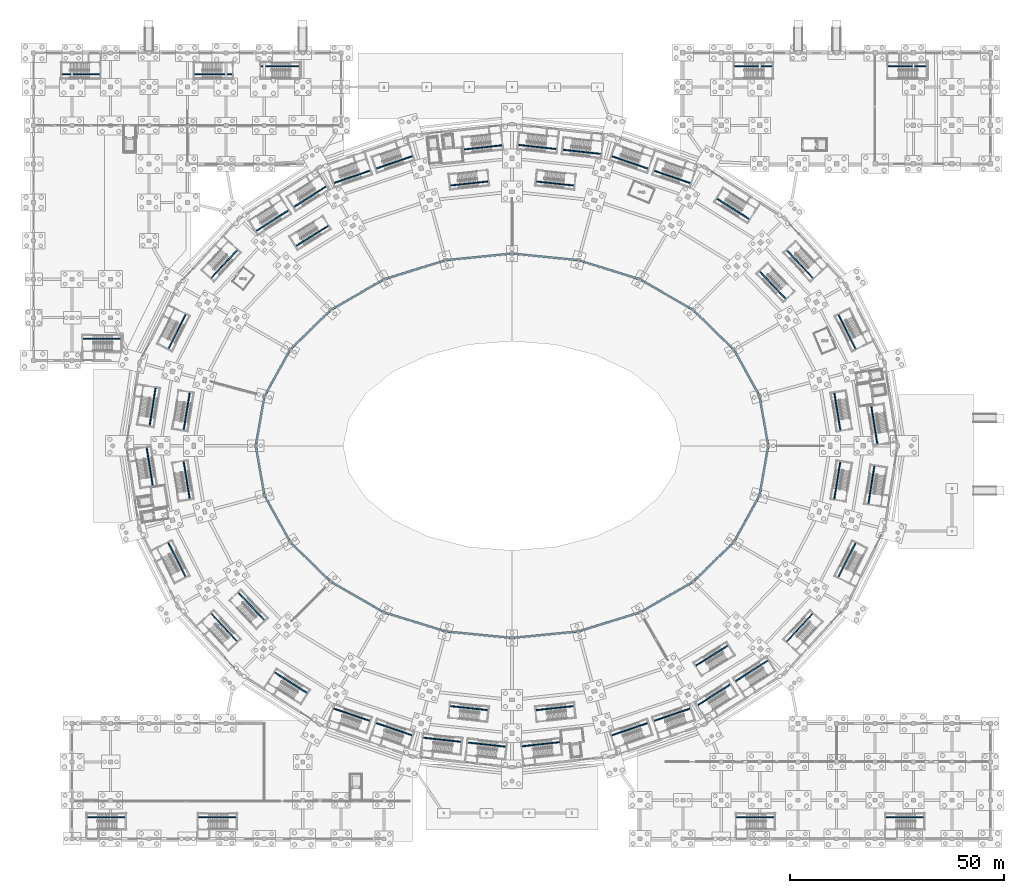
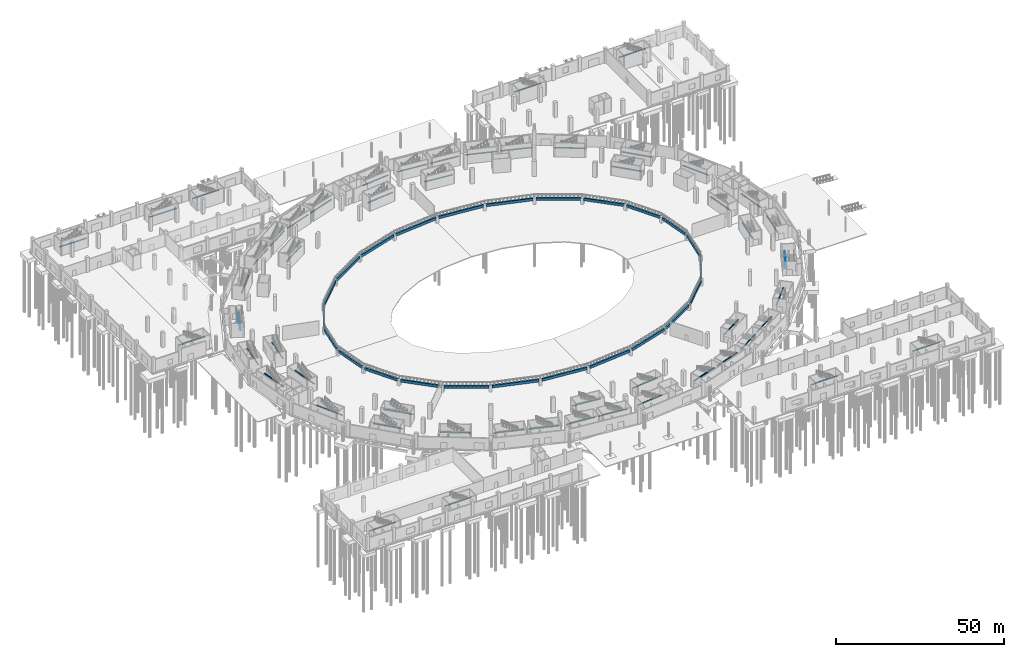
# One storey, part 27 of 103: 78 beams.
"""IFC4 building model written with IfcOpenShell, lengths in metres."""

from ifc_helpers import new_model, si_unit, direction, frame, origin, origin_2d, place, context, subcontext, project, spatial, rectangle, extrude, material, material_profile, profile_set, type_object, element, save


model = new_model("IFC4")

# Units and contexts
model_context = context("Model", 3, precision=1e-05, world=origin(), true_north=direction((0.0, 1.0)))
body_context = subcontext(model_context, "Body", "Model", "MODEL_VIEW")
ifc_project = project(units=[si_unit("LENGTHUNIT", "METRE"), si_unit("AREAUNIT", "SQUARE_METRE"), si_unit("VOLUMEUNIT", "CUBIC_METRE"), si_unit("PLANEANGLEUNIT", "RADIAN"), si_unit("MASSUNIT", "GRAM", prefix="KILO")], contexts=[model_context])

# Site, building, storey
site_placement = place(None, origin())
site = spatial("IfcSite", under=ifc_project, at=site_placement, CompositionType="ELEMENT")
building_placement = place(site_placement, origin())
building = spatial("IfcBuilding", under=site, at=building_placement, Name="Zevraka Park Crest Stadium", CompositionType="ELEMENT")
storey_placement = place(building_placement, origin())
storey = spatial("IfcBuildingStorey", under=building, at=storey_placement, Name="L00", CompositionType="ELEMENT", Elevation=0.0)

# Beams
ifc_material_1 = material(Name="Concrete C40/50", Category="concrete")
ifc_material_profile_1 = material_profile(ifc_material_1, rectangle(XDim=0.5, YDim=0.949951171875, at=origin_2d()), Name="RC 950x500")
ifc_profile_set_1 = profile_set([ifc_material_profile_1], Name="Concrete C40/50")
beam_type_1 = type_object("IfcBeamType", Name="RB02", PredefinedType="BEAM", material=ifc_profile_set_1)
beam_1_placement = place(storey_placement, frame((171.922119140625, 92.443115234375, 1.72509765625), z_axis=(-0.17282534053, 0.984952487012, 0.0), x_axis=(-0.984952487012, -0.17282534053, 0.0)))
element("IfcBeam", 1, at=beam_1_placement, inside=storey, type_object=beam_type_1, Name="Bowl Moat Ring Beam RB02 00", PredefinedType="BEAM", context=body_context, shape_type="SweptSolid", body=[
    extrude(rectangle(XDim=0.5, YDim=0.949951171875, at=origin_2d()), origin(), (0.0, 0.0, 1.0), 10.92529296875),
])
beam_2_placement = place(storey_placement, frame((169.738037109375, 104.041015625, 1.72509765625), z_axis=(-0.483412986381, 0.875392417489, 0.0), x_axis=(-0.875392417489, -0.483412986381, 0.0)))
element("IfcBeam", 2, at=beam_2_placement, inside=storey, type_object=beam_type_1, Name="Bowl Moat Ring Beam RB02 01", PredefinedType="BEAM", context=body_context, shape_type="SweptSolid", body=[
    extrude(rectangle(XDim=0.5, YDim=0.949951171875, at=origin_2d()), origin(), (0.0, 0.0, 1.0), 11.49755859375),
])
beam_3_placement = place(storey_placement, frame((163.639892578125, 114.81494140625, 1.72509765625), z_axis=(-0.715179840631, 0.698940480696, 0.0), x_axis=(-0.698940480696, -0.715179840631, 0.0)))
element("IfcBeam", 3, at=beam_3_placement, inside=storey, type_object=beam_type_1, Name="Bowl Moat Ring Beam RB02 02", PredefinedType="BEAM", context=body_context, shape_type="SweptSolid", body=[
    extrude(rectangle(XDim=0.5, YDim=0.949951171875, at=origin_2d()), origin(), (0.0, 0.0, 1.0), 12.43310546875),
])
beam_4_placement = place(storey_placement, frame((154.035888671875, 124.0439453125, 1.72509765625), z_axis=(-0.866691490288, 0.498844525541, 0.0), x_axis=(-0.498844525541, -0.866691490288, 0.0)))
element("IfcBeam", 4, at=beam_4_placement, inside=storey, type_object=beam_type_1, Name="Bowl Moat Ring Beam RB02 03", PredefinedType="BEAM", context=body_context, shape_type="SweptSolid", body=[
    extrude(rectangle(XDim=0.5, YDim=0.949951171875, at=origin_2d()), origin(), (0.0, 0.0, 1.0), 13.437255859375),
])
beam_5_placement = place(storey_placement, frame((141.570068359375, 131.10498046875, 1.72509765625), z_axis=(-0.954986687073, 0.296648660055, 0.0), x_axis=(-0.296648660055, -0.954986687073, 0.0)))
element("IfcBeam", 5, at=beam_5_placement, inside=storey, type_object=beam_type_1, Name="Bowl Moat Ring Beam RB02 04", PredefinedType="BEAM", context=body_context, shape_type="SweptSolid", body=[
    extrude(rectangle(XDim=0.5, YDim=0.949951171875, at=origin_2d()), origin(), (0.0, 0.0, 1.0), 14.252685546875),
])
for number, where, z_axis, x_axis, name in (
    (6, (127.0810546875, 135.510986328125, 1.72509765625), (-0.99515923202, 0.098275647669, 0.0), (-0.098275647669, -0.99515923202, 0.0), "Bowl Moat Ring Beam RB02 05"),
    (7, (111.552001953125, 136.9560546875, 1.72509765625), (-0.99515923202, -0.098275647669, 0.0), (0.098275647669, -0.99515923202, 0.0), "Bowl Moat Ring Beam RB02 06"),
):
    element("IfcBeam", number, at=place(storey_placement, frame(where, z_axis=z_axis, x_axis=x_axis)), inside=storey, type_object=beam_type_1, Name=name, PredefinedType="BEAM", context=body_context, shape_type="SweptSolid", body=[
        extrude(rectangle(XDim=0.5, YDim=0.949951171875, at=origin_2d()), origin(), (0.0, 0.0, 1.0), 14.704345703125),
    ])
beam_6_placement = place(storey_placement, frame((96.041015625, 135.3330078125, 1.72509765625), z_axis=(-0.954986687073, -0.296648660055, 0.0), x_axis=(0.296648660055, -0.954986687073, 0.0)))
element("IfcBeam", 8, at=beam_6_placement, inside=storey, type_object=beam_type_1, Name="Bowl Moat Ring Beam RB02 07", PredefinedType="BEAM", context=body_context, shape_type="SweptSolid", body=[
    extrude(rectangle(XDim=0.5, YDim=0.949951171875, at=origin_2d()), origin(), (0.0, 0.0, 1.0), 14.252685546875),
])
beam_7_placement = place(storey_placement, frame((81.610107421875, 130.7470703125, 1.72509765625), z_axis=(-0.866691490288, -0.498844525541, 0.0), x_axis=(0.498844525541, -0.866691490288, 0.0)))
element("IfcBeam", 9, at=beam_7_placement, inside=storey, type_object=beam_type_1, Name="Bowl Moat Ring Beam RB02 08", PredefinedType="BEAM", context=body_context, shape_type="SweptSolid", body=[
    extrude(rectangle(XDim=0.5, YDim=0.949951171875, at=origin_2d()), origin(), (0.0, 0.0, 1.0), 13.437255859375),
])
beam_8_placement = place(storey_placement, frame((69.251953125, 123.5048828125, 1.72509765625), z_axis=(-0.715179840631, -0.698940480696, 0.0), x_axis=(0.698940480696, -0.715179840631, 0.0)))
element("IfcBeam", 10, at=beam_8_placement, inside=storey, type_object=beam_type_1, Name="Bowl Moat Ring Beam RB02 09", PredefinedType="BEAM", context=body_context, shape_type="SweptSolid", body=[
    extrude(rectangle(XDim=0.5, YDim=0.949951171875, at=origin_2d()), origin(), (0.0, 0.0, 1.0), 12.43310546875),
])
beam_9_placement = place(storey_placement, frame((59.820068359375, 114.10595703125, 1.72509765625), z_axis=(-0.483412986381, -0.875392417489, 0.0), x_axis=(0.875392417489, -0.483412986381, 0.0)))
element("IfcBeam", 11, at=beam_9_placement, inside=storey, type_object=beam_type_1, Name="Bowl Moat Ring Beam RB02 10", PredefinedType="BEAM", context=body_context, shape_type="SweptSolid", body=[
    extrude(rectangle(XDim=0.5, YDim=0.949951171875, at=origin_2d()), origin(), (0.0, 0.0, 1.0), 11.49755859375),
])
for number, where, z_axis, x_axis, name in (
    (12, (53.966064453125, 103.2041015625, 1.72509765625), (-0.17282534053, -0.984952487012, 0.0), (0.984952487012, -0.17282534053, 0.0), "Bowl Moat Ring Beam RB02 11"),
    (13, (52.077880859375, 91.556884765625, 1.72509765625), (0.17282534053, -0.984952487012, 0.0), (0.984952487012, 0.17282534053, 0.0), "Bowl Moat Ring Beam RB02 12"),
):
    element("IfcBeam", number, at=place(storey_placement, frame(where, z_axis=z_axis, x_axis=x_axis)), inside=storey, type_object=beam_type_1, Name=name, PredefinedType="BEAM", context=body_context, shape_type="SweptSolid", body=[
        extrude(rectangle(XDim=0.5, YDim=0.949951171875, at=origin_2d()), origin(), (0.0, 0.0, 1.0), 10.92529296875),
    ])
beam_10_placement = place(storey_placement, frame((54.261962890625, 79.958984375, 1.72509765625), z_axis=(0.483412986381, -0.875392417489, 0.0), x_axis=(0.875392417489, 0.483412986381, 0.0)))
element("IfcBeam", 14, at=beam_10_placement, inside=storey, type_object=beam_type_1, Name="Bowl Moat Ring Beam RB02 13", PredefinedType="BEAM", context=body_context, shape_type="SweptSolid", body=[
    extrude(rectangle(XDim=0.5, YDim=0.949951171875, at=origin_2d()), origin(), (0.0, 0.0, 1.0), 11.49755859375),
])
beam_11_placement = place(storey_placement, frame((60.360107421875, 69.18505859375, 1.72509765625), z_axis=(0.715179840631, -0.698940480696, 0.0), x_axis=(0.698940480696, 0.715179840631, 0.0)))
element("IfcBeam", 15, at=beam_11_placement, inside=storey, type_object=beam_type_1, Name="Bowl Moat Ring Beam RB02 14", PredefinedType="BEAM", context=body_context, shape_type="SweptSolid", body=[
    extrude(rectangle(XDim=0.5, YDim=0.949951171875, at=origin_2d()), origin(), (0.0, 0.0, 1.0), 12.43310546875),
])
beam_12_placement = place(storey_placement, frame((69.964111328125, 59.9560546875, 1.72509765625), z_axis=(0.866691490288, -0.498844525541, 0.0), x_axis=(0.498844525541, 0.866691490288, 0.0)))
element("IfcBeam", 16, at=beam_12_placement, inside=storey, type_object=beam_type_1, Name="Bowl Moat Ring Beam RB02 15", PredefinedType="BEAM", context=body_context, shape_type="SweptSolid", body=[
    extrude(rectangle(XDim=0.5, YDim=0.949951171875, at=origin_2d()), origin(), (0.0, 0.0, 1.0), 13.437255859375),
])
beam_13_placement = place(storey_placement, frame((82.429931640625, 52.89501953125, 1.72509765625), z_axis=(0.954986687073, -0.296648660055, 0.0), x_axis=(0.296648660055, 0.954986687073, 0.0)))
element("IfcBeam", 17, at=beam_13_placement, inside=storey, type_object=beam_type_1, Name="Bowl Moat Ring Beam RB02 16", PredefinedType="BEAM", context=body_context, shape_type="SweptSolid", body=[
    extrude(rectangle(XDim=0.5, YDim=0.949951171875, at=origin_2d()), origin(), (0.0, 0.0, 1.0), 14.252685546875),
])
for number, where, z_axis, x_axis, name in (
    (18, (96.9189453125, 48.489013671875, 1.72509765625), (0.99515923202, -0.098275647669, 0.0), (0.098275647669, 0.99515923202, 0.0), "Bowl Moat Ring Beam RB02 17"),
    (19, (112.447998046875, 47.0439453125, 1.72509765625), (0.99515923202, 0.098275647669, 0.0), (-0.098275647669, 0.99515923202, 0.0), "Bowl Moat Ring Beam RB02 18"),
):
    element("IfcBeam", number, at=place(storey_placement, frame(where, z_axis=z_axis, x_axis=x_axis)), inside=storey, type_object=beam_type_1, Name=name, PredefinedType="BEAM", context=body_context, shape_type="SweptSolid", body=[
        extrude(rectangle(XDim=0.5, YDim=0.949951171875, at=origin_2d()), origin(), (0.0, 0.0, 1.0), 14.704345703125),
    ])
beam_14_placement = place(storey_placement, frame((127.958984375, 48.6669921875, 1.72509765625), z_axis=(0.954986687073, 0.296648660055, 0.0), x_axis=(-0.296648660055, 0.954986687073, 0.0)))
element("IfcBeam", 20, at=beam_14_placement, inside=storey, type_object=beam_type_1, Name="Bowl Moat Ring Beam RB02 19", PredefinedType="BEAM", context=body_context, shape_type="SweptSolid", body=[
    extrude(rectangle(XDim=0.5, YDim=0.949951171875, at=origin_2d()), origin(), (0.0, 0.0, 1.0), 14.252685546875),
])
beam_15_placement = place(storey_placement, frame((142.389892578125, 53.2529296875, 1.72509765625), z_axis=(0.866691490288, 0.498844525541, 0.0), x_axis=(-0.498844525541, 0.866691490288, 0.0)))
element("IfcBeam", 21, at=beam_15_placement, inside=storey, type_object=beam_type_1, Name="Bowl Moat Ring Beam RB02 20", PredefinedType="BEAM", context=body_context, shape_type="SweptSolid", body=[
    extrude(rectangle(XDim=0.5, YDim=0.949951171875, at=origin_2d()), origin(), (0.0, 0.0, 1.0), 13.437255859375),
])
beam_16_placement = place(storey_placement, frame((154.748046875, 60.4951171875, 1.72509765625), z_axis=(0.715179840631, 0.698940480696, 0.0), x_axis=(-0.698940480696, 0.715179840631, 0.0)))
element("IfcBeam", 22, at=beam_16_placement, inside=storey, type_object=beam_type_1, Name="Bowl Moat Ring Beam RB02 21", PredefinedType="BEAM", context=body_context, shape_type="SweptSolid", body=[
    extrude(rectangle(XDim=0.5, YDim=0.949951171875, at=origin_2d()), origin(), (0.0, 0.0, 1.0), 12.43310546875),
])
beam_17_placement = place(storey_placement, frame((164.179931640625, 69.89404296875, 1.72509765625), z_axis=(0.483412986381, 0.875392417489, 0.0), x_axis=(-0.875392417489, 0.483412986381, 0.0)))
element("IfcBeam", 23, at=beam_17_placement, inside=storey, type_object=beam_type_1, Name="Bowl Moat Ring Beam RB02 22", PredefinedType="BEAM", context=body_context, shape_type="SweptSolid", body=[
    extrude(rectangle(XDim=0.5, YDim=0.949951171875, at=origin_2d()), origin(), (0.0, 0.0, 1.0), 11.49755859375),
])
beam_18_placement = place(storey_placement, frame((170.033935546875, 80.7958984375, 1.72509765625), z_axis=(0.17282534053, 0.984952487012, 0.0), x_axis=(-0.984952487012, 0.17282534053, 0.0)))
element("IfcBeam", 24, at=beam_18_placement, inside=storey, type_object=beam_type_1, Name="Bowl Moat Ring Beam RB02 23", PredefinedType="BEAM", context=body_context, shape_type="SweptSolid", body=[
    extrude(rectangle(XDim=0.5, YDim=0.949951171875, at=origin_2d()), origin(), (0.0, 0.0, 1.0), 10.92529296875),
])
ifc_material_2 = material(Name="Concrete C40/50", Category="concrete")
ifc_material_profile_2 = material_profile(ifc_material_2, rectangle(XDim=0.280029296875, YDim=0.199951171875, at=origin_2d()), Name="RC 200x280")
ifc_profile_set_2 = profile_set([ifc_material_profile_2], Name="Concrete C40/50")
beam_type_2 = type_object("IfcBeamType", Name="SJ13", PredefinedType="JOIST", material=ifc_profile_set_2)
for number, where, z_axis, x_axis, name in (
    (25, (197.559326171875, 92.29736328125, 2.60009765625), (-0.157251361722, 0.987558610532, 0.0), (-0.987558610532, -0.157251361722, 0.0), "Stair Upper-Flight Longitudinal Stringer SJ13 ST01-L00"),
    (26, (192.518798828125, 114.591552734375, 2.60009765625), (-0.447920796254, 0.894073241006, 0.0), (-0.894073241006, -0.447920796254, 0.0), "Stair Upper-Flight Longitudinal Stringer SJ13 ST02-L00"),
    (27, (182.544677734375, 131.1572265625, 2.60009765625), (-0.680247587728, 0.732982414107, 0.0), (-0.732982414107, -0.680247587728, 0.0), "Stair Upper-Flight Longitudinal Stringer SJ13 ST03-L00"),
):
    element("IfcBeam", number, at=place(storey_placement, frame(where, z_axis=z_axis, x_axis=x_axis)), inside=storey, type_object=beam_type_2, Name=name, PredefinedType="JOIST", context=body_context, shape_type="SweptSolid", body=[
        extrude(rectangle(XDim=0.280029296875, YDim=0.199951171875, at=origin_2d()), origin(), (0.0, 0.0, 1.0), 9.25),
    ])
beam_19_placement = place(storey_placement, frame((167.648193359375, 145.012451171875, 2.60009765625), z_axis=(-0.844396466688, 0.53571877608, 0.0), x_axis=(-0.53571877608, -0.844396466688, 0.0)))
element("IfcBeam", 28, at=beam_19_placement, inside=storey, type_object=beam_type_2, Name="Stair Upper-Flight Longitudinal Stringer SJ13 ST04-L00", PredefinedType="JOIST", context=body_context, shape_type="SweptSolid", body=[
    extrude(rectangle(XDim=0.280029296875, YDim=0.199951171875, at=origin_2d()), origin(), (0.0, 0.0, 1.0), 9.249755859375),
])
beam_20_placement = place(storey_placement, frame((153.882080078125, 153.457763671875, 2.60009765625), z_axis=(-0.946065027556, 0.323976794902, 0.0), x_axis=(-0.323976794902, -0.946065027556, 0.0)))
element("IfcBeam", 29, at=beam_20_placement, inside=storey, type_object=beam_type_2, Name="Stair Upper-Flight Longitudinal Stringer SJ13 ST05-L00", PredefinedType="JOIST", context=body_context, shape_type="SweptSolid", body=[
    extrude(rectangle(XDim=0.280029296875, YDim=0.199951171875, at=origin_2d()), origin(), (0.0, 0.0, 1.0), 9.250244140625),
])
for number, where, z_axis, x_axis, name in (
    (30, (132.91796875, 160.3369140625, 2.60009765625), (-0.994127809114, 0.108212287404, 0.0), (-0.108212287404, -0.994127809114, 0.0), "Stair Upper-Flight Longitudinal Stringer SJ13 ST06-L00"),
    (31, (109.77197265625, 162.37158203125, 2.60009765625), (-0.994127809114, -0.108212287404, 0.0), (0.108212287404, -0.994127809114, 0.0), "Stair Upper-Flight Longitudinal Stringer SJ13 ST07-L00"),
):
    element("IfcBeam", number, at=place(storey_placement, frame(where, z_axis=z_axis, x_axis=x_axis)), inside=storey, type_object=beam_type_2, Name=name, PredefinedType="JOIST", context=body_context, shape_type="SweptSolid", body=[
        extrude(rectangle(XDim=0.280029296875, YDim=0.199951171875, at=origin_2d()), origin(), (0.0, 0.0, 1.0), 9.25),
    ])
beam_21_placement = place(storey_placement, frame((88.80322265625, 159.855712890625, 2.60009765625), z_axis=(-0.946065027556, -0.323976794902, 0.0), x_axis=(0.323976794902, -0.946065027556, 0.0)))
element("IfcBeam", 32, at=beam_21_placement, inside=storey, type_object=beam_type_2, Name="Stair Upper-Flight Longitudinal Stringer SJ13 ST08-L00", PredefinedType="JOIST", context=body_context, shape_type="SweptSolid", body=[
    extrude(rectangle(XDim=0.280029296875, YDim=0.199951171875, at=origin_2d()), origin(), (0.0, 0.0, 1.0), 9.250244140625),
])
for number, where, z_axis, x_axis, name in (
    (33, (68.595703125, 152.780517578125, 2.60009765625), (-0.844404041367, -0.535706836734, 0.0), (0.535706836734, -0.844404041367, 0.0), "Stair Upper-Flight Longitudinal Stringer SJ13 ST09-L00"),
    (34, (47.747314453125, 137.937744140625, 2.60009765625), (-0.680247587728, -0.732982414107, 0.0), (0.732982414107, -0.680247587728, 0.0), "Stair Upper-Flight Longitudinal Stringer SJ13 ST10-L00"),
):
    element("IfcBeam", number, at=place(storey_placement, frame(where, z_axis=z_axis, x_axis=x_axis)), inside=storey, type_object=beam_type_2, Name=name, PredefinedType="JOIST", context=body_context, shape_type="SweptSolid", body=[
        extrude(rectangle(XDim=0.280029296875, YDim=0.199951171875, at=origin_2d()), origin(), (0.0, 0.0, 1.0), 9.25),
    ])
for number, where, z_axis, x_axis, name in (
    (35, (35.624755859375, 122.8623046875, 2.60009765625), (-0.447910267746, -0.894078515594, 0.0), (0.894078515594, -0.447910267746, 0.0), "Stair Upper-Flight Longitudinal Stringer SJ13 ST11-L00"),
    (36, (28.571044921875, 105.678955078125, 2.60009765625), (-0.157255460575, -0.987557957853, 0.0), (0.987557957853, -0.157255460575, 0.0), "Stair Upper-Flight Longitudinal Stringer SJ13 ST12-L00"),
):
    element("IfcBeam", number, at=place(storey_placement, frame(where, z_axis=z_axis, x_axis=x_axis)), inside=storey, type_object=beam_type_2, Name=name, PredefinedType="JOIST", context=body_context, shape_type="SweptSolid", body=[
        extrude(rectangle(XDim=0.280029296875, YDim=0.199951171875, at=origin_2d()), origin(), (0.0, 0.0, 1.0), 9.249755859375),
    ])
for number, where, z_axis, x_axis, name in (
    (37, (26.440673828125, 91.70263671875, 2.60009765625), (0.157251361722, -0.987558610532, 0.0), (0.987558610532, 0.157251361722, 0.0), "Stair Upper-Flight Longitudinal Stringer SJ13 ST13-L00"),
    (38, (31.481201171875, 69.408447265625, 2.60009765625), (0.447920796254, -0.894073241006, 0.0), (0.894073241006, 0.447920796254, 0.0), "Stair Upper-Flight Longitudinal Stringer SJ13 ST14-L00"),
    (39, (41.455322265625, 52.8427734375, 2.60009765625), (0.680247587728, -0.732982414107, 0.0), (0.732982414107, 0.680247587728, 0.0), "Stair Upper-Flight Longitudinal Stringer SJ13 ST15-L00"),
):
    element("IfcBeam", number, at=place(storey_placement, frame(where, z_axis=z_axis, x_axis=x_axis)), inside=storey, type_object=beam_type_2, Name=name, PredefinedType="JOIST", context=body_context, shape_type="SweptSolid", body=[
        extrude(rectangle(XDim=0.280029296875, YDim=0.199951171875, at=origin_2d()), origin(), (0.0, 0.0, 1.0), 9.25),
    ])
beam_22_placement = place(storey_placement, frame((56.351806640625, 38.987548828125, 2.60009765625), z_axis=(0.844396466688, -0.53571877608, 0.0), x_axis=(0.53571877608, 0.844396466688, 0.0)))
element("IfcBeam", 40, at=beam_22_placement, inside=storey, type_object=beam_type_2, Name="Stair Upper-Flight Longitudinal Stringer SJ13 ST16-L00", PredefinedType="JOIST", context=body_context, shape_type="SweptSolid", body=[
    extrude(rectangle(XDim=0.280029296875, YDim=0.199951171875, at=origin_2d()), origin(), (0.0, 0.0, 1.0), 9.249755859375),
])
beam_23_placement = place(storey_placement, frame((70.117919921875, 30.542236328125, 2.60009765625), z_axis=(0.946065027556, -0.323976794902, 0.0), x_axis=(0.323976794902, 0.946065027556, 0.0)))
element("IfcBeam", 41, at=beam_23_placement, inside=storey, type_object=beam_type_2, Name="Stair Upper-Flight Longitudinal Stringer SJ13 ST17-L00", PredefinedType="JOIST", context=body_context, shape_type="SweptSolid", body=[
    extrude(rectangle(XDim=0.280029296875, YDim=0.199951171875, at=origin_2d()), origin(), (0.0, 0.0, 1.0), 9.250244140625),
])
for number, where, z_axis, x_axis, name in (
    (42, (91.08203125, 23.6630859375, 2.60009765625), (0.994127809114, -0.108212287404, 0.0), (0.108212287404, 0.994127809114, 0.0), "Stair Upper-Flight Longitudinal Stringer SJ13 ST18-L00"),
    (43, (114.22802734375, 21.62841796875, 2.60009765625), (0.994127809114, 0.108212287404, 0.0), (-0.108212287404, 0.994127809114, 0.0), "Stair Upper-Flight Longitudinal Stringer SJ13 ST19-L00"),
):
    element("IfcBeam", number, at=place(storey_placement, frame(where, z_axis=z_axis, x_axis=x_axis)), inside=storey, type_object=beam_type_2, Name=name, PredefinedType="JOIST", context=body_context, shape_type="SweptSolid", body=[
        extrude(rectangle(XDim=0.280029296875, YDim=0.199951171875, at=origin_2d()), origin(), (0.0, 0.0, 1.0), 9.25),
    ])
beam_24_placement = place(storey_placement, frame((135.19677734375, 24.144287109375, 2.60009765625), z_axis=(0.946065027556, 0.323976794902, 0.0), x_axis=(-0.323976794902, 0.946065027556, 0.0)))
element("IfcBeam", 44, at=beam_24_placement, inside=storey, type_object=beam_type_2, Name="Stair Upper-Flight Longitudinal Stringer SJ13 ST20-L00", PredefinedType="JOIST", context=body_context, shape_type="SweptSolid", body=[
    extrude(rectangle(XDim=0.280029296875, YDim=0.199951171875, at=origin_2d()), origin(), (0.0, 0.0, 1.0), 9.250244140625),
])
for number, where, z_axis, x_axis, name in (
    (45, (155.404296875, 31.219482421875, 2.60009765625), (0.844404041367, 0.535706836734, 0.0), (-0.535706836734, 0.844404041367, 0.0), "Stair Upper-Flight Longitudinal Stringer SJ13 ST21-L00"),
    (46, (176.252685546875, 46.062255859375, 2.60009765625), (0.680247587728, 0.732982414107, 0.0), (-0.732982414107, 0.680247587728, 0.0), "Stair Upper-Flight Longitudinal Stringer SJ13 ST22-L00"),
):
    element("IfcBeam", number, at=place(storey_placement, frame(where, z_axis=z_axis, x_axis=x_axis)), inside=storey, type_object=beam_type_2, Name=name, PredefinedType="JOIST", context=body_context, shape_type="SweptSolid", body=[
        extrude(rectangle(XDim=0.280029296875, YDim=0.199951171875, at=origin_2d()), origin(), (0.0, 0.0, 1.0), 9.25),
    ])
for number, where, z_axis, x_axis, name in (
    (47, (188.375244140625, 61.1376953125, 2.60009765625), (0.447910267746, 0.894078515594, 0.0), (-0.894078515594, 0.447910267746, 0.0), "Stair Upper-Flight Longitudinal Stringer SJ13 ST23-L00"),
    (48, (195.428955078125, 78.321044921875, 2.60009765625), (0.157255460575, 0.987557957853, 0.0), (-0.987557957853, 0.157255460575, 0.0), "Stair Upper-Flight Longitudinal Stringer SJ13 ST24-L00"),
):
    element("IfcBeam", number, at=place(storey_placement, frame(where, z_axis=z_axis, x_axis=x_axis)), inside=storey, type_object=beam_type_2, Name=name, PredefinedType="JOIST", context=body_context, shape_type="SweptSolid", body=[
        extrude(rectangle(XDim=0.280029296875, YDim=0.199951171875, at=origin_2d()), origin(), (0.0, 0.0, 1.0), 9.249755859375),
    ])
for number, where, z_axis, x_axis, name in (
    (49, (143.947998046875, 156.85888671875, 2.60009765625), (-0.946062257195, 0.323984884697, 0.0), (-0.323984884697, -0.946062257195, 0.0), "Stair Upper-Flight Longitudinal Stringer SJ13 ST25-L00"),
    (50, (122.47998046875, 161.472900390625, 2.60009765625), (-0.994127809114, 0.108212287404, 0.0), (-0.108212287404, -0.994127809114, 0.0), "Stair Upper-Flight Longitudinal Stringer SJ13 ST26-L00"),
):
    element("IfcBeam", number, at=place(storey_placement, frame(where, z_axis=z_axis, x_axis=x_axis)), inside=storey, type_object=beam_type_2, Name=name, PredefinedType="JOIST", context=body_context, shape_type="SweptSolid", body=[
        extrude(rectangle(XDim=0.280029296875, YDim=0.199951171875, at=origin_2d()), origin(), (0.0, 0.0, 1.0), 9.25),
    ])
for number, where, z_axis, x_axis, name in (
    (51, (78.869140625, 156.45458984375, 2.60009765625), (-0.946070346954, -0.323961260978, 0.0), (0.323961260978, -0.946070346954, 0.0), "Stair Upper-Flight Longitudinal Stringer SJ13 ST27-L00"),
    (52, (59.7294921875, 147.155517578125, 2.60009765625), (-0.844396466688, -0.53571877608, 0.0), (0.53571877608, -0.844396466688, 0.0), "Stair Upper-Flight Longitudinal Stringer SJ13 ST28-L00"),
):
    element("IfcBeam", number, at=place(storey_placement, frame(where, z_axis=z_axis, x_axis=x_axis)), inside=storey, type_object=beam_type_2, Name=name, PredefinedType="JOIST", context=body_context, shape_type="SweptSolid", body=[
        extrude(rectangle(XDim=0.280029296875, YDim=0.199951171875, at=origin_2d()), origin(), (0.0, 0.0, 1.0), 9.249755859375),
    ])
for number, where, z_axis, x_axis, name in (
    (53, (80.052001953125, 27.14111328125, 2.60009765625), (0.946062257195, -0.323984884697, 0.0), (0.323984884697, 0.946062257195, 0.0), "Stair Upper-Flight Longitudinal Stringer SJ13 ST29-L00"),
    (54, (101.52001953125, 22.527099609375, 2.60009765625), (0.994127809114, -0.108212287404, 0.0), (0.108212287404, 0.994127809114, 0.0), "Stair Upper-Flight Longitudinal Stringer SJ13 ST30-L00"),
):
    element("IfcBeam", number, at=place(storey_placement, frame(where, z_axis=z_axis, x_axis=x_axis)), inside=storey, type_object=beam_type_2, Name=name, PredefinedType="JOIST", context=body_context, shape_type="SweptSolid", body=[
        extrude(rectangle(XDim=0.280029296875, YDim=0.199951171875, at=origin_2d()), origin(), (0.0, 0.0, 1.0), 9.25),
    ])
for number, where, z_axis, x_axis, name in (
    (55, (145.130859375, 27.54541015625, 2.60009765625), (0.946070346954, 0.323961260978, 0.0), (-0.323961260978, 0.946070346954, 0.0), "Stair Upper-Flight Longitudinal Stringer SJ13 ST31-L00"),
    (56, (164.2705078125, 36.844482421875, 2.60009765625), (0.844396466688, 0.53571877608, 0.0), (-0.53571877608, 0.844396466688, 0.0), "Stair Upper-Flight Longitudinal Stringer SJ13 ST32-L00"),
):
    element("IfcBeam", number, at=place(storey_placement, frame(where, z_axis=z_axis, x_axis=x_axis)), inside=storey, type_object=beam_type_2, Name=name, PredefinedType="JOIST", context=body_context, shape_type="SweptSolid", body=[
        extrude(rectangle(XDim=0.280029296875, YDim=0.199951171875, at=origin_2d()), origin(), (0.0, 0.0, 1.0), 9.249755859375),
    ])
for number, where, z_axis, x_axis, name in (
    (57, (188.90625, 95.5439453125, 2.60009765625), (-0.160707035853, 0.987002152291, 0.0), (-0.987002152291, -0.160707035853, 0.0), "Stair Upper-Flight Longitudinal Stringer SJ13 ST33-L00"),
    (58, (176.159423828125, 126.32373046875, 2.60009765625), (-0.688319481212, 0.725407672819, 0.0), (-0.725407672819, -0.688319481212, 0.0), "Stair Upper-Flight Longitudinal Stringer SJ13 ST34-L00"),
):
    element("IfcBeam", number, at=place(storey_placement, frame(where, z_axis=z_axis, x_axis=x_axis)), inside=storey, type_object=beam_type_2, Name=name, PredefinedType="JOIST", context=body_context, shape_type="SweptSolid", body=[
        extrude(rectangle(XDim=0.280029296875, YDim=0.199951171875, at=origin_2d()), origin(), (0.0, 0.0, 1.0), 9.14990234375),
    ])
beam_25_placement = place(storey_placement, frame((126.599609375, 152.936279296875, 2.60009765625), z_axis=(-0.994382402051, 0.105847241304, 0.0), x_axis=(-0.105847241304, -0.994382402051, 0.0)))
element("IfcBeam", 59, at=beam_25_placement, inside=storey, type_object=beam_type_2, Name="Stair Upper-Flight Longitudinal Stringer SJ13 ST35-L00", PredefinedType="JOIST", context=body_context, shape_type="SweptSolid", body=[
    extrude(rectangle(XDim=0.280029296875, YDim=0.199951171875, at=origin_2d()), origin(), (0.0, 0.0, 1.0), 9.150146484375),
])
for number, where, z_axis, x_axis, name in (
    (60, (106.499267578125, 153.904296875, 2.60009765625), (-0.994382103104, -0.105850049723, 0.0), (0.105850049723, -0.994382103104, 0.0), "Stair Upper-Flight Longitudinal Stringer SJ13 ST36-L00"),
    (61, (69.04638671875, 143.5126953125, 2.60009765625), (-0.849698289546, -0.527269207088, 0.0), (0.527269207088, -0.849698289546, 0.0), "Stair Upper-Flight Longitudinal Stringer SJ13 ST37-L00"),
    (62, (36.56494140625, 104.5751953125, 2.60009765625), (-0.160733028795, -0.986997919681, 0.0), (0.986997919681, -0.160733028795, 0.0), "Stair Upper-Flight Longitudinal Stringer SJ13 ST38-L00"),
    (63, (35.09375, 88.4560546875, 2.60009765625), (0.160707035853, -0.987002152291, 0.0), (0.987002152291, 0.160707035853, 0.0), "Stair Upper-Flight Longitudinal Stringer SJ13 ST39-L00"),
    (64, (47.840576171875, 57.67626953125, 2.60009765625), (0.688319481212, -0.725407672819, 0.0), (0.725407672819, 0.688319481212, 0.0), "Stair Upper-Flight Longitudinal Stringer SJ13 ST40-L00"),
):
    element("IfcBeam", number, at=place(storey_placement, frame(where, z_axis=z_axis, x_axis=x_axis)), inside=storey, type_object=beam_type_2, Name=name, PredefinedType="JOIST", context=body_context, shape_type="SweptSolid", body=[
        extrude(rectangle(XDim=0.280029296875, YDim=0.199951171875, at=origin_2d()), origin(), (0.0, 0.0, 1.0), 9.14990234375),
    ])
beam_26_placement = place(storey_placement, frame((97.400390625, 31.063720703125, 2.60009765625), z_axis=(0.994382402051, -0.105847241304, 0.0), x_axis=(0.105847241304, 0.994382402051, 0.0)))
element("IfcBeam", 65, at=beam_26_placement, inside=storey, type_object=beam_type_2, Name="Stair Upper-Flight Longitudinal Stringer SJ13 ST41-L00", PredefinedType="JOIST", context=body_context, shape_type="SweptSolid", body=[
    extrude(rectangle(XDim=0.280029296875, YDim=0.199951171875, at=origin_2d()), origin(), (0.0, 0.0, 1.0), 9.150146484375),
])
for number, where, z_axis, x_axis, name in (
    (66, (117.500732421875, 30.095703125, 2.60009765625), (0.994382103104, 0.105850049723, 0.0), (-0.105850049723, 0.994382103104, 0.0), "Stair Upper-Flight Longitudinal Stringer SJ13 ST42-L00"),
    (67, (154.95361328125, 40.4873046875, 2.60009765625), (0.849698289546, 0.527269207088, 0.0), (-0.527269207088, 0.849698289546, 0.0), "Stair Upper-Flight Longitudinal Stringer SJ13 ST43-L00"),
    (68, (187.43505859375, 79.4248046875, 2.60009765625), (0.160733028795, 0.986997919681, 0.0), (-0.986997919681, 0.160733028795, 0.0), "Stair Upper-Flight Longitudinal Stringer SJ13 ST44-L00"),
):
    element("IfcBeam", number, at=place(storey_placement, frame(where, z_axis=z_axis, x_axis=x_axis)), inside=storey, type_object=beam_type_2, Name=name, PredefinedType="JOIST", context=body_context, shape_type="SweptSolid", body=[
        extrude(rectangle(XDim=0.280029296875, YDim=0.199951171875, at=origin_2d()), origin(), (0.0, 0.0, 1.0), 9.14990234375),
    ])
for number, where, z_axis, x_axis, name in (
    (69, (199.89990234375, 180.875, 2.60009765625), (1.0, 0.0, 0.0), (0.0, 1.0, 0.0), "Stair Upper-Flight Longitudinal Stringer SJ13 ST45-L00"),
    (70, (163.89990234375, 180.875, 2.60009765625), (1.0, 0.0, 0.0), (0.0, 1.0, 0.0), "Stair Upper-Flight Longitudinal Stringer SJ13 ST46-L00"),
    (71, (15.60009765625, 178.965087890625, 2.60009765625), (-1.0, 0.0, 0.0), (0.0, -1.0, 0.0), "Stair Upper-Flight Longitudinal Stringer SJ13 ST47-L00"),
    (72, (11.39990234375, 117.034912109375, 2.60009765625), (1.0, 0.0, 0.0), (0.0, 1.0, 0.0), "Stair Upper-Flight Longitudinal Stringer SJ13 ST48-L00"),
    (73, (46.60009765625, 178.965087890625, 2.60009765625), (-1.0, 0.0, 0.0), (0.0, -1.0, 0.0), "Stair Upper-Flight Longitudinal Stringer SJ13 ST49-L00"),
):
    element("IfcBeam", number, at=place(storey_placement, frame(where, z_axis=z_axis, x_axis=x_axis)), inside=storey, type_object=beam_type_2, Name=name, PredefinedType="JOIST", context=body_context, shape_type="SweptSolid", body=[
        extrude(rectangle(XDim=0.280029296875, YDim=0.199951171875, at=origin_2d()), origin(), (0.0, 0.0, 1.0), 9.2001953125),
    ])
beam_27_placement = place(storey_placement, frame((53.10009765625, 180.875, 2.60009765625), z_axis=(1.0, 0.0, 0.0), x_axis=(0.0, 1.0, 0.0)))
element("IfcBeam", 74, at=beam_27_placement, inside=storey, type_object=beam_type_2, Name="Stair Upper-Flight Longitudinal Stringer SJ13 ST50-L00", PredefinedType="JOIST", context=body_context, shape_type="SweptSolid", body=[
    extrude(rectangle(XDim=0.280029296875, YDim=0.199951171875, at=origin_2d()), origin(), (0.0, 0.0, 1.0), 9.199951171875),
])
for number, where, z_axis, x_axis, name in (
    (75, (12.39990234375, 5.034912109375, 2.60009765625), (1.0, 0.0, 0.0), (0.0, 1.0, 0.0), "Stair Upper-Flight Longitudinal Stringer SJ13 ST51-L00"),
    (76, (38.39990234375, 5.034912109375, 2.60009765625), (1.0, 0.0, 0.0), (0.0, 1.0, 0.0), "Stair Upper-Flight Longitudinal Stringer SJ13 ST52-L00"),
    (77, (164.39990234375, 5.034912109375, 2.60009765625), (1.0, 0.0, 0.0), (0.0, 1.0, 0.0), "Stair Upper-Flight Longitudinal Stringer SJ13 ST53-L00"),
    (78, (199.39990234375, 5.034912109375, 2.60009765625), (1.0, 0.0, 0.0), (0.0, 1.0, 0.0), "Stair Upper-Flight Longitudinal Stringer SJ13 ST54-L00"),
):
    element("IfcBeam", number, at=place(storey_placement, frame(where, z_axis=z_axis, x_axis=x_axis)), inside=storey, type_object=beam_type_2, Name=name, PredefinedType="JOIST", context=body_context, shape_type="SweptSolid", body=[
        extrude(rectangle(XDim=0.280029296875, YDim=0.199951171875, at=origin_2d()), origin(), (0.0, 0.0, 1.0), 9.2001953125),
    ])

save(model, "model.ifc")
